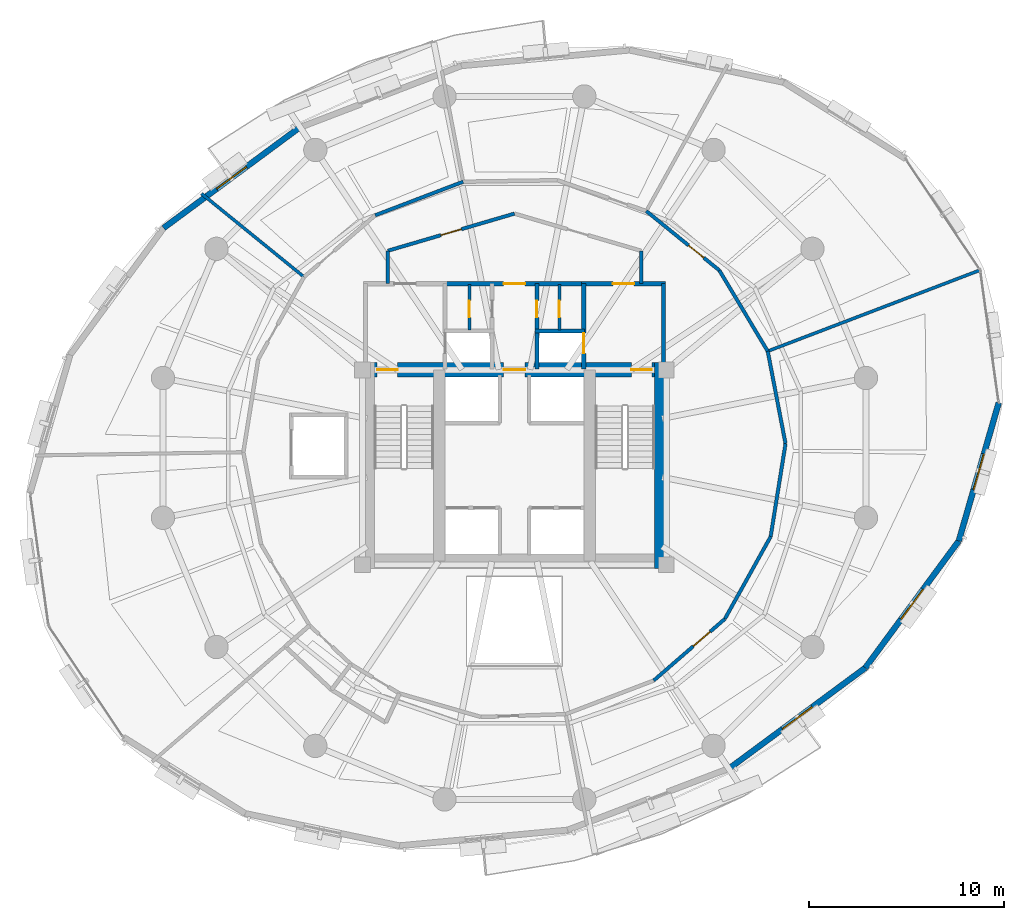
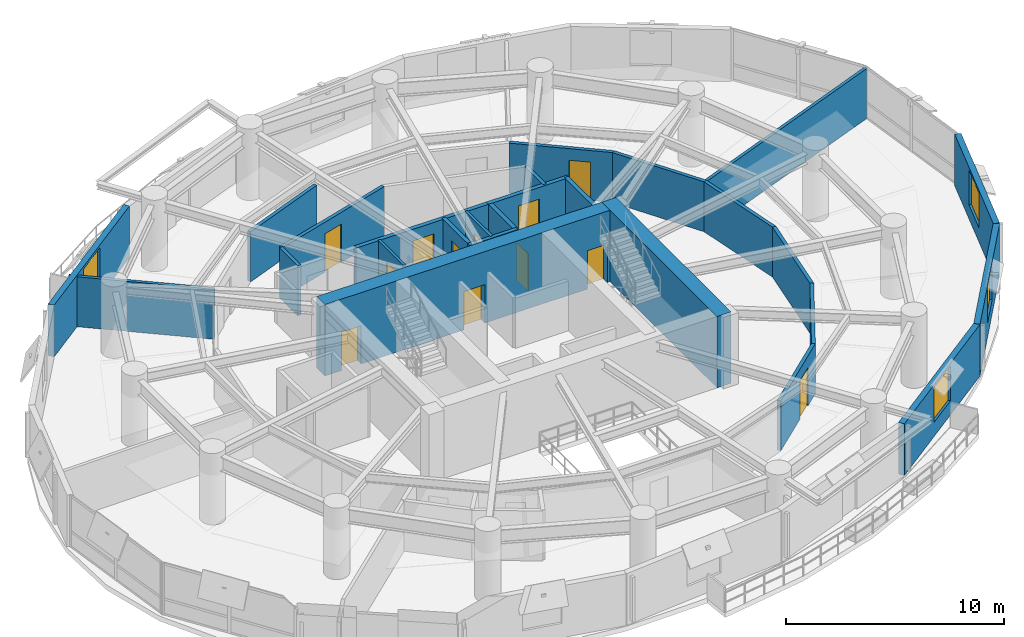
# One storey, part 11 of 15: 26 walls, 12 doors, 4 windows, 16 openings.
"""IFC4 building model written with IfcOpenShell, lengths in metres."""

from ifc_helpers import new_model, si_unit, direction, frame, frame_2d, origin, place, context, subcontext, project, spatial, rectangle, extrude, material, layer, layer_set, type_object, element, fill, save


model = new_model("IFC4")

# Units and contexts
model_context = context("Model", 3, precision=1e-05, world=origin(), true_north=direction((0.0, 1.0)))
body_context = subcontext(model_context, "Body", "Model", "MODEL_VIEW")
ifc_project = project(units=[si_unit("LENGTHUNIT", "METRE"), si_unit("AREAUNIT", "SQUARE_METRE"), si_unit("VOLUMEUNIT", "CUBIC_METRE"), si_unit("PLANEANGLEUNIT", "RADIAN"), si_unit("MASSUNIT", "GRAM", prefix="KILO"), si_unit("THERMODYNAMICTEMPERATUREUNIT", "KELVIN"), si_unit("POWERUNIT", "WATT")], contexts=[model_context])

# Site, building, storey
site_placement = place(None, origin())
site = spatial("IfcSite", under=ifc_project, at=site_placement, CompositionType="ELEMENT")
building_placement = place(site_placement, origin())
building = spatial("IfcBuilding", under=site, at=building_placement, Name="Ocrelia Relay Tower", CompositionType="ELEMENT")
storey_placement = place(building_placement, frame((0.0, 0.0, 121.800048828125)))
storey = spatial("IfcBuildingStorey", under=building, at=storey_placement, Name="L28", CompositionType="ELEMENT", Elevation=121.800048828125)

# Wall, openings, doors
ifc_material_1 = material(Name="Concrete C60/75", Category="concrete")
ifc_layer_1 = layer(ifc_material_1, 0.75, Name="Concrete C60/75")
ifc_layer_set_1 = layer_set([ifc_layer_1], Name="Concrete C60/75")
wall_type_1 = type_object("IfcWallType", Name="CW-CORE-750", PredefinedType="SHEAR", material=ifc_layer_set_1)
wall_1_placement = place(storey_placement, frame((26.072021484375, 30.012939453125, 0.0), z_axis=(0.0, 0.0, 1.0), x_axis=(1.0, 0.0, 0.0)))
wall_1 = element("IfcWall", 1, at=wall_1_placement, inside=storey, type_object=wall_type_1, Name="L28 Core Shear Wall N", PredefinedType="SHEAR", context=body_context, shape_type="SweptSolid", body=[
    extrude(rectangle(XDim=15.865966796875, YDim=0.75, at=frame_2d((7.93310546875, 0.0))), origin(), (0.0, 0.0, 1.0), 4.0),
])
opening_1_placement = place(wall_1_placement, frame((0.8779296875, 0.0, 0.0)))
opening_1 = element("IfcOpeningElement", 2, at=opening_1_placement, cuts=wall_1, Name="Opening D-FD90", PredefinedType="OPENING", context=body_context, shape_type="SweptSolid", body=[
    extrude(rectangle(XDim=1.050048828125, YDim=2.14990234375, at=frame_2d((0.52490234375, 1.074951171875))), frame((0.0, 0.385009765625, 0.0), z_axis=(0.0, -1.0, 0.0), x_axis=(1.0, 0.0, 0.0)), (0.0, 0.0, 1.0), 0.77001953125),
])
opening_2_placement = place(wall_1_placement, frame((13.927978515625, 0.0, 0.0)))
opening_2 = element("IfcOpeningElement", 3, at=opening_2_placement, cuts=wall_1, Name="Opening D-FD90", PredefinedType="OPENING", context=body_context, shape_type="SweptSolid", body=[
    extrude(rectangle(XDim=1.050048828125, YDim=2.14990234375, at=frame_2d((0.52490234375, 1.074951171875))), frame((0.0, 0.385009765625, 0.0), z_axis=(0.0, -1.0, 0.0), x_axis=(1.0, 0.0, 0.0)), (0.0, 0.0, 1.0), 0.77001953125),
])
opening_3_placement = place(wall_1_placement, frame((7.3779296875, 0.0, 0.0)))
opening_3 = element("IfcOpeningElement", 4, at=opening_3_placement, cuts=wall_1, Name="Opening D-FD60", PredefinedType="OPENING", context=body_context, shape_type="SweptSolid", body=[
    extrude(rectangle(XDim=1.10009765625, YDim=2.14990234375, at=frame_2d((0.550048828125, 1.074951171875))), frame((0.0, 0.385009765625, 0.0), z_axis=(0.0, -1.0, 0.0), x_axis=(1.0, 0.0, 0.0)), (0.0, 0.0, 1.0), 0.77001953125),
])
ifc_material_2 = material(Name="Timber-core 60-min acoustic fire door", Category="wood")
door_type_1 = type_object("IfcDoorType", Name="DR-LOBBY-FD60-1100", OperationType="NOTDEFINED", PredefinedType="DOOR", material=ifc_material_2)
door_1_placement = place(opening_3_placement, origin())
door_1 = element("IfcDoor", 5, at=door_1_placement, inside=storey, type_object=door_type_1, Name="L28 Core Lift Lobby North Fire Door", OperationType="SINGLE_SWING_RIGHT", OverallHeight=2.14990234375, OverallWidth=1.10009765625, PredefinedType="DOOR", context=body_context, shape_type="SweptSolid", body=[
    extrude(rectangle(XDim=1.10009765625, YDim=2.14990234375, at=frame_2d((0.550048828125, 1.074951171875))), frame((0.0, 0.02490234375, 0.0), z_axis=(0.0, -1.0, 0.0), x_axis=(1.0, 0.0, 0.0)), (0.0, 0.0, 1.0), 0.050048828125),
])
fill(opening_3, door_1)
ifc_material_3 = material(Name="Steel S355 90-min fire door", Category="steel")
door_type_2 = type_object("IfcDoorType", Name="DR-STAIR-FD90-1050", OperationType="NOTDEFINED", PredefinedType="DOOR", material=ifc_material_3)
door_2_placement = place(opening_1_placement, origin())
door_2 = element("IfcDoor", 6, at=door_2_placement, inside=storey, type_object=door_type_2, Name="L28 Stair ST1 Fire Door", OperationType="SINGLE_SWING_RIGHT", OverallHeight=2.14990234375, OverallWidth=1.050048828125, PredefinedType="DOOR", context=body_context, shape_type="SweptSolid", body=[
    extrude(rectangle(XDim=1.050048828125, YDim=2.14990234375, at=frame_2d((0.52490234375, 1.074951171875))), frame((0.0, 0.02490234375, 0.0), z_axis=(0.0, -1.0, 0.0), x_axis=(1.0, 0.0, 0.0)), (0.0, 0.0, 1.0), 0.050048828125),
])
fill(opening_1, door_2)
door_3_placement = place(opening_2_placement, origin())
door_3 = element("IfcDoor", 7, at=door_3_placement, inside=storey, type_object=door_type_2, Name="L28 Stair ST2 Fire Door", OperationType="SINGLE_SWING_LEFT", OverallHeight=2.14990234375, OverallWidth=1.050048828125, PredefinedType="DOOR", context=body_context, shape_type="SweptSolid", body=[
    extrude(rectangle(XDim=1.050048828125, YDim=2.14990234375, at=frame_2d((0.52490234375, 1.074951171875))), frame((0.0, 0.02490234375, 0.0), z_axis=(0.0, -1.0, 0.0), x_axis=(1.0, 0.0, 0.0)), (0.0, 0.0, 1.0), 0.050048828125),
])
fill(opening_2, door_3)

# Walls
wall_2_placement = place(storey_placement, frame((41.56298828125, 19.81201171875, 0.0), z_axis=(0.0, 0.0, 1.0), x_axis=(0.0, 1.0, 0.0)))
element("IfcWall", 8, at=wall_2_placement, inside=storey, type_object=wall_type_1, Name="L28 Core Shear Wall E", PredefinedType="SHEAR", context=body_context, shape_type="SweptSolid", body=[
    extrude(rectangle(XDim=10.575927734375, YDim=0.75, at=frame_2d((5.2880859375, 0.0))), origin(), (0.0, 0.0, 1.0), 4.0),
])
ifc_material_4 = material(Name="Gypsum Fireboard Partition EI60", Category="gypsum")
ifc_layer_2 = layer(ifc_material_4, 0.179931640625, Name="Gypsum Fireboard Partition EI60")
ifc_layer_set_2 = layer_set([ifc_layer_2], Name="Gypsum Fireboard Partition EI60")
wall_type_2 = type_object("IfcWallType", Name="W-CORR-EI60-180", PredefinedType="PARTITIONING", material=ifc_layer_set_2)
for number, where, z_axis, x_axis, name in (
    (9, (27.5, 34.429931640625, 0.0), (0.0, 0.0, 1.0), (0.0, 1.0, 0.0), "L28 Smoke Lobby West Return"),
    (10, (40.5, 36.122802734375, 0.0), (0.0, 0.0, 1.0), (0.0, -1.0, 0.0), "L28 Smoke Lobby East Return"),
):
    element("IfcWall", number, at=place(storey_placement, frame(where, z_axis=z_axis, x_axis=x_axis)), inside=storey, type_object=wall_type_2, Name=name, PredefinedType="PARTITIONING", context=body_context, shape_type="SweptSolid", body=[
        extrude(rectangle(XDim=1.69287109375, YDim=0.179931640625, at=frame_2d((0.846435546875, 0.0))), origin(), (0.0, 0.0, 1.0), 2.800048828125),
    ])

# Wall, opening, door
wall_3_placement = place(storey_placement, frame((27.5, 36.122802734375, 0.0), z_axis=(0.0, 0.0, 1.0), x_axis=(0.959546654541, 0.281549671923, 0.0)))
wall_3 = element("IfcWall", 11, at=wall_3_placement, inside=storey, type_object=wall_type_2, Name="L28 North Smoke Lobby W Screen Wall", PredefinedType="PARTITIONING", context=body_context, shape_type="SweptSolid", body=[
    extrude(rectangle(XDim=6.77392578125, YDim=0.179931640625, at=frame_2d((3.386962890625, 0.0))), origin(), (0.0, 0.0, 1.0), 2.800048828125),
])
opening_4_placement = place(wall_3_placement, frame((2.8369140625, 0.0, 0.0)))
opening_4 = element("IfcOpeningElement", 12, at=opening_4_placement, cuts=wall_3, Name="Opening D-FD60", PredefinedType="OPENING", context=body_context, shape_type="SweptSolid", body=[
    extrude(rectangle(XDim=1.10009765625, YDim=2.14990234375, at=frame_2d((0.550048828125, 1.074951171875))), frame((0.0, 0.10009765625, 0.0), z_axis=(0.0, -1.0, 0.0), x_axis=(1.0, 0.0, 0.0)), (0.0, 0.0, 1.0), 0.199951171875),
])
door_4_placement = place(opening_4_placement, origin())
door_4 = element("IfcDoor", 13, at=door_4_placement, inside=storey, type_object=door_type_1, Name="L28 North Smoke Lobby W Fire Door", OperationType="SINGLE_SWING_RIGHT", OverallHeight=2.14990234375, OverallWidth=1.10009765625, PredefinedType="DOOR", context=body_context, shape_type="SweptSolid", body=[
    extrude(rectangle(XDim=1.10009765625, YDim=2.14990234375, at=frame_2d((0.550048828125, 1.074951171875))), frame((0.0, 0.02490234375, 0.0), z_axis=(0.0, -1.0, 0.0), x_axis=(1.0, 0.0, 0.0)), (0.0, 0.0, 1.0), 0.050048828125),
])
fill(opening_4, door_4)

wall_4_placement = place(storey_placement, frame((41.1484375, 14.0556640625, 0.0), z_axis=(0.0, 0.0, 1.0), x_axis=(0.755849022926, 0.654745946564, 0.0)))
wall_4 = element("IfcWall", 14, at=wall_4_placement, inside=storey, type_object=wall_type_2, Name="L28 Optical Switching Hall A Corridor Partition 2", PredefinedType="PARTITIONING", context=body_context, shape_type="SweptSolid", body=[
    extrude(rectangle(XDim=4.83447265625, YDim=0.179931640625, at=frame_2d((2.417236328125, 0.0))), origin(), (0.0, 0.0, 1.0), 2.800048828125),
])
opening_5_placement = place(wall_4_placement, frame((2.688232421875, 0.0, 0.0)))
opening_5 = element("IfcOpeningElement", 15, at=opening_5_placement, cuts=wall_4, Name="Opening D-RM115", PredefinedType="OPENING", context=body_context, shape_type="SweptSolid", body=[
    extrude(rectangle(XDim=1.14990234375, YDim=2.14990234375, at=frame_2d((0.574951171875, 1.074951171875))), frame((0.0, 0.10009765625, 0.0), z_axis=(0.0, -1.0, 0.0), x_axis=(1.0, 0.0, 0.0)), (0.0, 0.0, 1.0), 0.199951171875),
])
ifc_material_5 = material(Name="Wide acoustic oak veneer fire door", Category="wood")
door_type_3 = type_object("IfcDoorType", Name="DR-ROOM-1150", OperationType="NOTDEFINED", PredefinedType="DOOR", material=ifc_material_5)
door_5_placement = place(opening_5_placement, origin())
door_5 = element("IfcDoor", 16, at=door_5_placement, inside=storey, type_object=door_type_3, Name="L28 Optical Switching Hall A Entrance Door", OperationType="SINGLE_SWING_LEFT", OverallHeight=2.14990234375, OverallWidth=1.14990234375, PredefinedType="DOOR", context=body_context, shape_type="SweptSolid", body=[
    extrude(rectangle(XDim=1.14990234375, YDim=2.14990234375, at=frame_2d((0.574951171875, 1.074951171875))), frame((0.0, 0.02490234375, 0.0), z_axis=(0.0, -1.0, 0.0), x_axis=(1.0, 0.0, 0.0)), (0.0, 0.0, 1.0), 0.050048828125),
])
fill(opening_5, door_5)

# Walls
wall_5_placement = place(storey_placement, frame((44.802490234375, 17.220947265625, 0.0), z_axis=(0.0, 0.0, 1.0), x_axis=(0.486367394504, 0.873754403459, 0.0)))
element("IfcWall", 17, at=wall_5_placement, inside=storey, type_object=wall_type_2, Name="L28 Optical Switching Hall A Corridor Partition 3", PredefinedType="PARTITIONING", context=body_context, shape_type="SweptSolid", body=[
    extrude(rectangle(XDim=4.83447265625, YDim=0.179931640625, at=frame_2d((2.417236328125, 0.0))), origin(), (0.0, 0.0, 1.0), 2.800048828125),
])
wall_6_placement = place(storey_placement, frame((47.15380859375, 21.445068359375, 0.0), z_axis=(0.0, 0.0, 1.0), x_axis=(0.158122467289, 0.987419508283, 0.0)))
element("IfcWall", 18, at=wall_6_placement, inside=storey, type_object=wall_type_2, Name="L28 Optical Switching Hall A Corridor Partition 4", PredefinedType="PARTITIONING", context=body_context, shape_type="SweptSolid", body=[
    extrude(rectangle(XDim=4.834228515625, YDim=0.179931640625, at=frame_2d((2.4169921875, 0.0))), origin(), (0.0, 0.0, 1.0), 2.800048828125),
])
for number, where, z_axis, x_axis, name in (
    (19, (47.918212890625, 26.218505859375, 0.0), (0.0, 0.0, 1.0), (-0.18907027834, 0.98196355831, 0.0), "L28 Optical Switching Hall A Corridor Partition 5"),
    (20, (47.004150390625, 30.9658203125, 0.0), (0.0, 0.0, 1.0), (-0.513544831917, 0.858062763212, 0.0), "L28 Technical Reference Library Corridor Partition 1"),
):
    element("IfcWall", number, at=place(storey_placement, frame(where, z_axis=z_axis, x_axis=x_axis)), inside=storey, type_object=wall_type_2, Name=name, PredefinedType="PARTITIONING", context=body_context, shape_type="SweptSolid", body=[
        extrude(rectangle(XDim=4.83447265625, YDim=0.179931640625, at=frame_2d((2.417236328125, 0.0))), origin(), (0.0, 0.0, 1.0), 2.800048828125),
    ])

# Wall, opening, door
wall_7_placement = place(storey_placement, frame((44.521484375, 35.114013671875, 0.0), z_axis=(0.0, 0.0, 1.0), x_axis=(-0.776056841092, 0.630662968149, 0.0)))
wall_7 = element("IfcWall", 21, at=wall_7_placement, inside=storey, type_object=wall_type_2, Name="L28 Technical Reference Library Corridor Partition 2", PredefinedType="PARTITIONING", context=body_context, shape_type="SweptSolid", body=[
    extrude(rectangle(XDim=4.834228515625, YDim=0.179931640625, at=frame_2d((2.4169921875, 0.0))), origin(), (0.0, 0.0, 1.0), 2.800048828125),
])
opening_6_placement = place(wall_7_placement, frame((1.03369140625, 0.0, 0.0)))
opening_6 = element("IfcOpeningElement", 22, at=opening_6_placement, cuts=wall_7, Name="Opening D-RM100", PredefinedType="OPENING", context=body_context, shape_type="SweptSolid", body=[
    extrude(rectangle(XDim=1.0, YDim=2.14990234375, at=frame_2d((0.5, 1.074951171875))), frame((0.0, 0.10009765625, 0.0), z_axis=(0.0, -1.0, 0.0), x_axis=(1.0, 0.0, 0.0)), (0.0, 0.0, 1.0), 0.199951171875),
])
ifc_material_6 = material(Name="Acoustic oak veneer fire door", Category="wood")
door_type_4 = type_object("IfcDoorType", Name="DR-ROOM-FD60-1000", OperationType="NOTDEFINED", PredefinedType="DOOR", material=ifc_material_6)
door_6_placement = place(opening_6_placement, origin())
door_6 = element("IfcDoor", 23, at=door_6_placement, inside=storey, type_object=door_type_4, Name="L28 Technical Reference Library Entrance Door", OperationType="SINGLE_SWING_RIGHT", OverallHeight=2.14990234375, OverallWidth=1.0, PredefinedType="DOOR", context=body_context, shape_type="SweptSolid", body=[
    extrude(rectangle(XDim=1.0, YDim=2.14990234375, at=frame_2d((0.5, 1.074951171875))), frame((0.0, 0.02490234375, 0.0), z_axis=(0.0, -1.0, 0.0), x_axis=(1.0, 0.0, 0.0)), (0.0, 0.0, 1.0), 0.050048828125),
])
fill(opening_6, door_6)

# Wall
wall_8_placement = place(storey_placement, frame((31.367919921875, 39.6689453125, 0.0), z_axis=(0.0, 0.0, 1.0), x_axis=(-0.934205840652, -0.356734421232, 0.0)))
element("IfcWall", 24, at=wall_8_placement, inside=storey, type_object=wall_type_2, Name="L28 Staff Wellness Room Corridor Partition 1", PredefinedType="PARTITIONING", context=body_context, shape_type="SweptSolid", body=[
    extrude(rectangle(XDim=4.83447265625, YDim=0.179931640625, at=frame_2d((2.417236328125, 0.0))), origin(), (0.0, 0.0, 1.0), 2.800048828125),
])

# Wall, opening, window
ifc_material_7 = material(Name="Precast concrete C40/50 with oxide terracotta", Category="masonry")
ifc_layer_3 = layer(ifc_material_7, 0.300048828125, Name="Precast concrete C40/50 with oxide terracotta")
ifc_layer_set_3 = layer_set([ifc_layer_3], Name="Precast concrete C40/50 with oxide terracotta")
wall_type_3 = type_object("IfcWallType", Name="W-EXT-TERR-300", PredefinedType="SOLIDWALL", material=ifc_layer_set_3)
wall_9_placement = place(storey_placement, frame((22.961181640625, 42.4462890625, 0.0), z_axis=(0.0, 0.0, 1.0), x_axis=(-0.804159175469, -0.594414014395, 0.0)))
wall_9 = element("IfcWall", 25, at=wall_9_placement, inside=storey, type_object=wall_type_3, Name="L28 Oxide Terracotta Facade Wall 06", PredefinedType="SOLIDWALL", context=body_context, shape_type="SweptSolid", body=[
    extrude(rectangle(XDim=8.6728515625, YDim=0.300048828125, at=frame_2d((4.33642578125, 0.0))), origin(), (0.0, 0.0, 1.0), 2.89990234375),
])
opening_7_placement = place(wall_9_placement, frame((3.385986328125, 0.0, 0.800048828125)))
opening_7 = element("IfcOpeningElement", 26, at=opening_7_placement, cuts=wall_9, Name="Opening W-06", PredefinedType="OPENING", context=body_context, shape_type="SweptSolid", body=[
    extrude(rectangle(XDim=1.89990234375, YDim=1.949951171875, at=frame_2d((0.949951171875, 0.97509765625))), frame((0.0, 0.16015625, 0.0), z_axis=(0.0, -1.0, 0.0), x_axis=(1.0, 0.0, 0.0)), (0.0, 0.0, 1.0), 0.320068359375),
])
ifc_material_8 = material(Name="Clear double-glazed low-E glass", Category="glass")
window_type = type_object("IfcWindowType", Name="WIN-Z2-1900x2100", PartitioningType="DOUBLE_PANEL_VERTICAL", PredefinedType="WINDOW", material=ifc_material_8)
window_1_placement = place(opening_7_placement, origin())
window_1 = element("IfcWindow", 27, at=window_1_placement, inside=storey, type_object=window_type, Name="L28 Facade Module Window 06", OverallHeight=1.949951171875, OverallWidth=1.89990234375, PartitioningType="SINGLE_PANEL", PredefinedType="WINDOW", context=body_context, shape_type="SweptSolid", body=[
    extrude(rectangle(XDim=1.89990234375, YDim=1.949951171875, at=frame_2d((0.949951171875, 0.97509765625))), frame((0.0, 0.030029296875, 0.0), z_axis=(0.0, -1.0, 0.0), x_axis=(1.0, 0.0, 0.0)), (0.0, 0.0, 1.0), 0.06005859375),
])
fill(opening_7, window_1)

wall_10_placement = place(storey_placement, frame((45.038818359375, 9.5537109375, 0.0), z_axis=(0.0, 0.0, 1.0), x_axis=(0.804159175469, 0.594414014395, 0.0)))
wall_10 = element("IfcWall", 28, at=wall_10_placement, inside=storey, type_object=wall_type_3, Name="L28 Oxide Terracotta Facade Wall 15", PredefinedType="SOLIDWALL", context=body_context, shape_type="SweptSolid", body=[
    extrude(rectangle(XDim=8.6728515625, YDim=0.300048828125, at=frame_2d((4.33642578125, 0.0))), origin(), (0.0, 0.0, 1.0), 2.89990234375),
])
opening_8_placement = place(wall_10_placement, frame((3.385986328125, 0.0, 0.800048828125)))
opening_8 = element("IfcOpeningElement", 29, at=opening_8_placement, cuts=wall_10, Name="Opening W-06", PredefinedType="OPENING", context=body_context, shape_type="SweptSolid", body=[
    extrude(rectangle(XDim=1.89990234375, YDim=1.949951171875, at=frame_2d((0.949951171875, 0.97509765625))), frame((0.0, 0.16015625, 0.0), z_axis=(0.0, -1.0, 0.0), x_axis=(1.0, 0.0, 0.0)), (0.0, 0.0, 1.0), 0.320068359375),
])
window_2_placement = place(opening_8_placement, origin())
window_2 = element("IfcWindow", 30, at=window_2_placement, inside=storey, type_object=window_type, Name="L28 Facade Module Window 15", OverallHeight=1.949951171875, OverallWidth=1.89990234375, PartitioningType="SINGLE_PANEL", PredefinedType="WINDOW", context=body_context, shape_type="SweptSolid", body=[
    extrude(rectangle(XDim=1.89990234375, YDim=1.949951171875, at=frame_2d((0.949951171875, 0.97509765625))), frame((0.0, 0.030029296875, 0.0), z_axis=(0.0, -1.0, 0.0), x_axis=(1.0, 0.0, 0.0)), (0.0, 0.0, 1.0), 0.06005859375),
])
fill(opening_8, window_2)

wall_11_placement = place(storey_placement, frame((52.01318359375, 14.708984375, 0.0), z_axis=(0.0, 0.0, 1.0), x_axis=(0.593159944835, 0.805084641416, 0.0)))
wall_11 = element("IfcWall", 31, at=wall_11_placement, inside=storey, type_object=wall_type_3, Name="L28 Oxide Terracotta Facade Wall 16", PredefinedType="SOLIDWALL", context=body_context, shape_type="SweptSolid", body=[
    extrude(rectangle(XDim=8.09521484375, YDim=0.300048828125, at=frame_2d((4.047607421875, 0.0))), origin(), (0.0, 0.0, 1.0), 2.89990234375),
])
opening_9_placement = place(wall_11_placement, frame((3.097900390625, 0.0, 0.800048828125)))
opening_9 = element("IfcOpeningElement", 32, at=opening_9_placement, cuts=wall_11, Name="Opening W-06", PredefinedType="OPENING", context=body_context, shape_type="SweptSolid", body=[
    extrude(rectangle(XDim=1.89990234375, YDim=1.949951171875, at=frame_2d((0.949951171875, 0.97509765625))), frame((0.0, 0.16015625, 0.0), z_axis=(0.0, -1.0, 0.0), x_axis=(1.0, 0.0, 0.0)), (0.0, 0.0, 1.0), 0.320068359375),
])
window_3_placement = place(opening_9_placement, origin())
window_3 = element("IfcWindow", 33, at=window_3_placement, inside=storey, type_object=window_type, Name="L28 Facade Module Window 16", OverallHeight=1.949951171875, OverallWidth=1.89990234375, PartitioningType="SINGLE_PANEL", PredefinedType="WINDOW", context=body_context, shape_type="SweptSolid", body=[
    extrude(rectangle(XDim=1.89990234375, YDim=1.949951171875, at=frame_2d((0.949951171875, 0.97509765625))), frame((0.0, 0.030029296875, 0.0), z_axis=(0.0, -1.0, 0.0), x_axis=(1.0, 0.0, 0.0)), (0.0, 0.0, 1.0), 0.06005859375),
])
fill(opening_9, window_3)

wall_12_placement = place(storey_placement, frame((56.81494140625, 21.226318359375, 0.0), z_axis=(0.0, 0.0, 1.0), x_axis=(0.277637317475, 0.960685963229, 0.0)))
wall_12 = element("IfcWall", 34, at=wall_12_placement, inside=storey, type_object=wall_type_3, Name="L28 Oxide Terracotta Facade Wall 17", PredefinedType="SOLIDWALL", context=body_context, shape_type="SweptSolid", body=[
    extrude(rectangle(XDim=7.383056640625, YDim=0.300048828125, at=frame_2d((3.69140625, 0.0))), origin(), (0.0, 0.0, 1.0), 2.89990234375),
])
opening_10_placement = place(wall_12_placement, frame((2.741943359375, 0.0, 0.800048828125)))
opening_10 = element("IfcOpeningElement", 35, at=opening_10_placement, cuts=wall_12, Name="Opening W-06", PredefinedType="OPENING", context=body_context, shape_type="SweptSolid", body=[
    extrude(rectangle(XDim=1.89990234375, YDim=1.949951171875, at=frame_2d((0.949951171875, 0.97509765625))), frame((0.0, 0.16015625, 0.0), z_axis=(0.0, -1.0, 0.0), x_axis=(1.0, 0.0, 0.0)), (0.0, 0.0, 1.0), 0.320068359375),
])
window_4_placement = place(opening_10_placement, origin())
window_4 = element("IfcWindow", 36, at=window_4_placement, inside=storey, type_object=window_type, Name="L28 Facade Module Window 17", OverallHeight=1.949951171875, OverallWidth=1.89990234375, PartitioningType="SINGLE_PANEL", PredefinedType="WINDOW", context=body_context, shape_type="SweptSolid", body=[
    extrude(rectangle(XDim=1.89990234375, YDim=1.949951171875, at=frame_2d((0.949951171875, 0.97509765625))), frame((0.0, 0.030029296875, 0.0), z_axis=(0.0, -1.0, 0.0), x_axis=(1.0, 0.0, 0.0)), (0.0, 0.0, 1.0), 0.06005859375),
])
fill(opening_10, window_4)

# Wall, opening, door
ifc_material_9 = material(Name="Concrete C50/60", Category="concrete")
ifc_layer_4 = layer(ifc_material_9, 0.219970703125, Name="Concrete C50/60")
ifc_layer_set_4 = layer_set([ifc_layer_4], Name="Concrete C50/60")
wall_type_4 = type_object("IfcWallType", Name="W-FFL-EI120-220", PredefinedType="SOLIDWALL", material=ifc_layer_set_4)
wall_13_placement = place(storey_placement, frame((37.56005859375, 30.050048828125, 0.0), z_axis=(0.0, 0.0, 1.0), x_axis=(0.0, 1.0, 0.0)))
wall_13 = element("IfcWall", 37, at=wall_13_placement, inside=storey, type_object=wall_type_4, Name="L28 E Fire Service Lift Lobby West Wall", PredefinedType="SOLIDWALL", context=body_context, shape_type="SweptSolid", body=[
    extrude(rectangle(XDim=4.3798828125, YDim=0.219970703125, at=frame_2d((2.18994140625, 0.0))), origin(), (0.0, 0.0, 1.0), 2.800048828125),
])
opening_11_placement = place(wall_13_placement, frame((0.800048828125, 0.0, 0.0)))
opening_11 = element("IfcOpeningElement", 38, at=opening_11_placement, cuts=wall_13, Name="Opening LD-FFL2", PredefinedType="OPENING", context=body_context, shape_type="SweptSolid", body=[
    extrude(rectangle(XDim=1.050048828125, YDim=2.10009765625, at=frame_2d((0.52490234375, 1.050048828125))), frame((0.0, 0.1201171875, 0.0), z_axis=(0.0, -1.0, 0.0), x_axis=(1.0, 0.0, 0.0)), (0.0, 0.0, 1.0), 0.239990234375),
])
ifc_material_10 = material(Name="Brushed stainless steel S355 lift landing door", Category="steel")
door_type_5 = type_object("IfcDoorType", Name="DR-LIFT-LAND-1050", OperationType="DOUBLE_DOOR_SLIDING", PredefinedType="USERDEFINED", material=ifc_material_10)
door_7_placement = place(opening_11_placement, origin())
door_7 = element("IfcDoor", 39, at=door_7_placement, inside=storey, type_object=door_type_5, Name="L28 Firefighting Lift FFL2 Sliding Landing Door", ObjectType="LANDING DOOR", OperationType="DOUBLE_DOOR_SLIDING", OverallHeight=2.10009765625, OverallWidth=1.050048828125, PredefinedType="USERDEFINED", context=body_context, shape_type="SweptSolid", body=[
    extrude(rectangle(XDim=1.050048828125, YDim=2.10009765625, at=frame_2d((0.52490234375, 1.050048828125))), frame((0.0, 0.02490234375, 0.0), z_axis=(0.0, -1.0, 0.0), x_axis=(1.0, 0.0, 0.0)), (0.0, 0.0, 1.0), 0.050048828125),
])
fill(opening_11, door_7)

# Wall
wall_14_placement = place(storey_placement, frame((41.64990234375, 30.050048828125, 0.0), z_axis=(0.0, 0.0, 1.0), x_axis=(0.0, 1.0, 0.0)))
element("IfcWall", 40, at=wall_14_placement, inside=storey, type_object=wall_type_4, Name="L28 E Fire Service Lift Lobby East Wall", PredefinedType="SOLIDWALL", context=body_context, shape_type="SweptSolid", body=[
    extrude(rectangle(XDim=4.3798828125, YDim=0.219970703125, at=frame_2d((2.18994140625, 0.0))), origin(), (0.0, 0.0, 1.0), 2.800048828125),
])

# Wall, opening, door
wall_15_placement = place(storey_placement, frame((37.449951171875, 34.429931640625, 0.0), z_axis=(0.0, 0.0, 1.0), x_axis=(1.0, 0.0, 0.0)))
wall_15 = element("IfcWall", 41, at=wall_15_placement, inside=storey, type_object=wall_type_4, Name="L28 E Fire Service Lift Lobby North Wall", PredefinedType="SOLIDWALL", context=body_context, shape_type="SweptSolid", body=[
    extrude(rectangle(XDim=4.31005859375, YDim=0.219970703125, at=frame_2d((2.155029296875, 0.0))), origin(), (0.0, 0.0, 1.0), 2.800048828125),
])
opening_12_placement = place(wall_15_placement, frame((1.60009765625, 0.0, 0.0)))
opening_12 = element("IfcOpeningElement", 42, at=opening_12_placement, cuts=wall_15, Name="Opening D-FD60", PredefinedType="OPENING", context=body_context, shape_type="SweptSolid", body=[
    extrude(rectangle(XDim=1.10009765625, YDim=2.14990234375, at=frame_2d((0.550048828125, 1.074951171875))), frame((0.0, 0.1201171875, 0.0), z_axis=(0.0, -1.0, 0.0), x_axis=(1.0, 0.0, 0.0)), (0.0, 0.0, 1.0), 0.239990234375),
])
door_8_placement = place(opening_12_placement, origin())
door_8 = element("IfcDoor", 43, at=door_8_placement, inside=storey, type_object=door_type_1, Name="L28 E Fire Service Lift Lobby Exit Door", OperationType="SINGLE_SWING_LEFT", OverallHeight=2.14990234375, OverallWidth=1.10009765625, PredefinedType="DOOR", context=body_context, shape_type="SweptSolid", body=[
    extrude(rectangle(XDim=1.10009765625, YDim=2.14990234375, at=frame_2d((0.550048828125, 1.074951171875))), frame((0.0, 0.02490234375, 0.0), z_axis=(0.0, -1.0, 0.0), x_axis=(1.0, 0.0, 0.0)), (0.0, 0.0, 1.0), 0.050048828125),
])
fill(opening_12, door_8)

wall_16_placement = place(storey_placement, frame((30.43994140625, 34.429931640625, 0.0), z_axis=(0.0, 0.0, 1.0), x_axis=(1.0, 0.0, 0.0)))
wall_16 = element("IfcWall", 44, at=wall_16_placement, inside=storey, type_object=wall_type_4, Name="L28 North Core Vestibule Wall", PredefinedType="SOLIDWALL", context=body_context, shape_type="SweptSolid", body=[
    extrude(rectangle(XDim=7.1201171875, YDim=0.219970703125, at=frame_2d((3.56005859375, 0.0))), origin(), (0.0, 0.0, 1.0), 2.800048828125),
])
opening_13_placement = place(wall_16_placement, frame((3.010009765625, 0.0, 0.0)))
opening_13 = element("IfcOpeningElement", 45, at=opening_13_placement, cuts=wall_16, Name="Opening D-FD60", PredefinedType="OPENING", context=body_context, shape_type="SweptSolid", body=[
    extrude(rectangle(XDim=1.10009765625, YDim=2.14990234375, at=frame_2d((0.550048828125, 1.074951171875))), frame((0.0, 0.1201171875, 0.0), z_axis=(0.0, -1.0, 0.0), x_axis=(1.0, 0.0, 0.0)), (0.0, 0.0, 1.0), 0.239990234375),
])
door_9_placement = place(opening_13_placement, origin())
door_9 = element("IfcDoor", 46, at=door_9_placement, inside=storey, type_object=door_type_1, Name="L28 North Core Vestibule Corridor Door", OperationType="SINGLE_SWING_LEFT", OverallHeight=2.14990234375, OverallWidth=1.10009765625, PredefinedType="DOOR", context=body_context, shape_type="SweptSolid", body=[
    extrude(rectangle(XDim=1.10009765625, YDim=2.14990234375, at=frame_2d((0.550048828125, 1.074951171875))), frame((0.0, 0.02490234375, 0.0), z_axis=(0.0, -1.0, 0.0), x_axis=(1.0, 0.0, 0.0)), (0.0, 0.0, 1.0), 0.050048828125),
])
fill(opening_13, door_9)

ifc_material_11 = material(Name="Acoustic Fireboard Partition EI60", Category="gypsum")
ifc_layer_5 = layer(ifc_material_11, 0.14990234375, Name="Acoustic Fireboard Partition EI60")
ifc_layer_set_5 = layer_set([ifc_layer_5], Name="Acoustic Fireboard Partition EI60")
wall_type_5 = type_object("IfcWallType", Name="W-PART-150", PredefinedType="PARTITIONING", material=ifc_layer_set_5)
wall_17_placement = place(storey_placement, frame((31.68994140625, 32.050048828125, 0.0), z_axis=(0.0, 0.0, 1.0), x_axis=(0.0, 1.0, 0.0)))
wall_17 = element("IfcWall", 47, at=wall_17_placement, inside=storey, type_object=wall_type_5, Name="L28 West Core Support Partition", PredefinedType="PARTITIONING", context=body_context, shape_type="SweptSolid", body=[
    extrude(rectangle(XDim=2.329833984375, YDim=0.14990234375, at=frame_2d((1.1650390625, 0.0))), origin(), (0.0, 0.0, 1.0), 2.800048828125),
])
opening_14_placement = place(wall_17_placement, frame((0.64990234375, 0.0, 0.0)))
opening_14 = element("IfcOpeningElement", 48, at=opening_14_placement, cuts=wall_17, Name="Opening D-RS86", PredefinedType="OPENING", context=body_context, shape_type="SweptSolid", body=[
    extrude(rectangle(XDim=0.860107421875, YDim=2.050048828125, at=frame_2d((0.43017578125, 1.02490234375))), frame((0.0, 0.0849609375, 0.0), z_axis=(0.0, -1.0, 0.0), x_axis=(1.0, 0.0, 0.0)), (0.0, 0.0, 1.0), 0.169921875),
])
ifc_material_12 = material(Name="Steel S355 riser access fire door", Category="steel")
door_type_6 = type_object("IfcDoorType", Name="DR-RISER-TRAP-860", OperationType="NOTDEFINED", PredefinedType="TRAPDOOR", material=ifc_material_12)
door_10_placement = place(opening_14_placement, origin())
door_10 = element("IfcDoor", 49, at=door_10_placement, inside=storey, type_object=door_type_6, Name="L28 West Core Store Connecting Door", OperationType="SINGLE_SWING_RIGHT", OverallHeight=2.050048828125, OverallWidth=0.860107421875, PredefinedType="TRAPDOOR", context=body_context, shape_type="SweptSolid", body=[
    extrude(rectangle(XDim=0.860107421875, YDim=2.050048828125, at=frame_2d((0.43017578125, 1.02490234375))), frame((0.0, 0.02490234375, 0.0), z_axis=(0.0, -1.0, 0.0), x_axis=(1.0, 0.0, 0.0)), (0.0, 0.0, 1.0), 0.050048828125),
])
fill(opening_14, door_10)

wall_18_placement = place(storey_placement, frame((36.31005859375, 32.050048828125, 0.0), z_axis=(0.0, 0.0, 1.0), x_axis=(0.0, 1.0, 0.0)))
wall_18 = element("IfcWall", 50, at=wall_18_placement, inside=storey, type_object=wall_type_5, Name="L28 East Core Support Partition", PredefinedType="PARTITIONING", context=body_context, shape_type="SweptSolid", body=[
    extrude(rectangle(XDim=2.329833984375, YDim=0.14990234375, at=frame_2d((1.1650390625, 0.0))), origin(), (0.0, 0.0, 1.0), 2.800048828125),
])
opening_15_placement = place(wall_18_placement, frame((0.64990234375, 0.0, 0.0)))
opening_15 = element("IfcOpeningElement", 51, at=opening_15_placement, cuts=wall_18, Name="Opening D-RS86", PredefinedType="OPENING", context=body_context, shape_type="SweptSolid", body=[
    extrude(rectangle(XDim=0.860107421875, YDim=2.050048828125, at=frame_2d((0.43017578125, 1.02490234375))), frame((0.0, 0.0849609375, 0.0), z_axis=(0.0, -1.0, 0.0), x_axis=(1.0, 0.0, 0.0)), (0.0, 0.0, 1.0), 0.169921875),
])
door_11_placement = place(opening_15_placement, origin())
door_11 = element("IfcDoor", 52, at=door_11_placement, inside=storey, type_object=door_type_6, Name="L28 East Core Store Connecting Door", OperationType="SINGLE_SWING_LEFT", OverallHeight=2.050048828125, OverallWidth=0.860107421875, PredefinedType="TRAPDOOR", context=body_context, shape_type="SweptSolid", body=[
    extrude(rectangle(XDim=0.860107421875, YDim=2.050048828125, at=frame_2d((0.43017578125, 1.02490234375))), frame((0.0, 0.02490234375, 0.0), z_axis=(0.0, -1.0, 0.0), x_axis=(1.0, 0.0, 0.0)), (0.0, 0.0, 1.0), 0.050048828125),
])
fill(opening_15, door_11)

# Walls
ifc_layer_6 = layer(ifc_material_11, 0.159912109375, Name="Acoustic Fireboard Partition EI60")
ifc_layer_set_6 = layer_set([ifc_layer_6], Name="Acoustic Fireboard Partition EI60")
wall_type_6 = type_object("IfcWallType", Name="W-PART-160", PredefinedType="PARTITIONING", material=ifc_layer_set_6)
wall_19_placement = place(storey_placement, frame((47.004150390625, 30.9658203125, 0.0), z_axis=(0.0, 0.0, 1.0), x_axis=(0.934201667866, 0.356745348611, 0.0)))
element("IfcWall", 53, at=wall_19_placement, inside=storey, type_object=wall_type_6, Name="L28 Optical Switching Hall A Radial Partition", PredefinedType="PARTITIONING", context=body_context, shape_type="SweptSolid", body=[
    extrude(rectangle(XDim=11.679931640625, YDim=0.159912109375, at=frame_2d((5.83984375, 0.0))), origin(), (0.0, 0.0, 1.0), 2.800048828125),
])
wall_20_placement = place(storey_placement, frame((23.197509765625, 34.779052734375, 0.0), z_axis=(0.0, 0.0, 1.0), x_axis=(-0.776061128034, 0.630657692854, 0.0)))
element("IfcWall", 54, at=wall_20_placement, inside=storey, type_object=wall_type_6, Name="L28 Staff Wellness Room Radial Partition", PredefinedType="PARTITIONING", context=body_context, shape_type="SweptSolid", body=[
    extrude(rectangle(XDim=6.780029296875, YDim=0.159912109375, at=frame_2d((3.39013671875, 0.0))), origin(), (0.0, 0.0, 1.0), 2.800048828125),
])
ifc_layer_7 = layer(ifc_material_9, 0.199951171875, Name="Concrete C50/60")
ifc_layer_set_7 = layer_set([ifc_layer_7], Name="Concrete C50/60")
wall_type_7 = type_object("IfcWallType", Name="W-SHAFT-EI120-200", PredefinedType="SOLIDWALL", material=ifc_layer_set_7)
wall_21_placement = place(storey_placement, frame((35.050048828125, 32.0, 0.0), z_axis=(0.0, 0.0, 1.0), x_axis=(1.0, 0.0, 0.0)))
element("IfcWall", 55, at=wall_21_placement, inside=storey, type_object=wall_type_7, Name="L28 FFL2 Hoistway North Wall", PredefinedType="SOLIDWALL", context=body_context, shape_type="SweptSolid", body=[
    extrude(rectangle(XDim=2.550048828125, YDim=0.199951171875, at=frame_2d((1.27490234375, 0.0))), origin(), (0.0, 0.0, 1.0), 2.800048828125),
])

# Wall, opening, door
wall_22_placement = place(storey_placement, frame((35.14990234375, 30.050048828125, 0.0), z_axis=(0.0, 0.0, 1.0), x_axis=(0.0, 1.0, 0.0)))
wall_22 = element("IfcWall", 56, at=wall_22_placement, inside=storey, type_object=wall_type_7, Name="L28 FFL2 and Service Vestibule Wall", PredefinedType="SOLIDWALL", context=body_context, shape_type="SweptSolid", body=[
    extrude(rectangle(XDim=4.3798828125, YDim=0.199951171875, at=frame_2d((2.18994140625, 0.0))), origin(), (0.0, 0.0, 1.0), 2.800048828125),
])
opening_16_placement = place(wall_22_placement, frame((2.64990234375, 0.0, 0.0)))
opening_16 = element("IfcOpeningElement", 57, at=opening_16_placement, cuts=wall_22, Name="Opening D-RS86", PredefinedType="OPENING", context=body_context, shape_type="SweptSolid", body=[
    extrude(rectangle(XDim=0.860107421875, YDim=2.050048828125, at=frame_2d((0.43017578125, 1.02490234375))), frame((0.0, 0.10986328125, 0.0), z_axis=(0.0, -1.0, 0.0), x_axis=(1.0, 0.0, 0.0)), (0.0, 0.0, 1.0), 0.219970703125),
])
door_12_placement = place(opening_16_placement, origin())
door_12 = element("IfcDoor", 58, at=door_12_placement, inside=storey, type_object=door_type_6, Name="L28 Core Support Room E Door", OperationType="SINGLE_SWING_RIGHT", OverallHeight=2.050048828125, OverallWidth=0.860107421875, PredefinedType="TRAPDOOR", context=body_context, shape_type="SweptSolid", body=[
    extrude(rectangle(XDim=0.860107421875, YDim=2.050048828125, at=frame_2d((0.43017578125, 1.02490234375))), frame((0.0, 0.02490234375, 0.0), z_axis=(0.0, -1.0, 0.0), x_axis=(1.0, 0.0, 0.0)), (0.0, 0.0, 1.0), 0.050048828125),
])
fill(opening_16, door_12)

save(model, "model.ifc")
